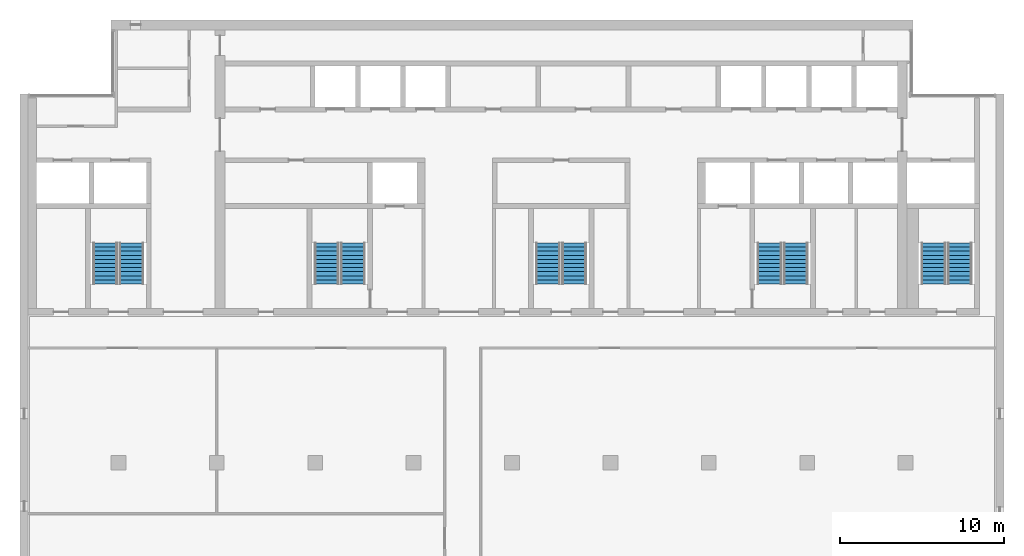
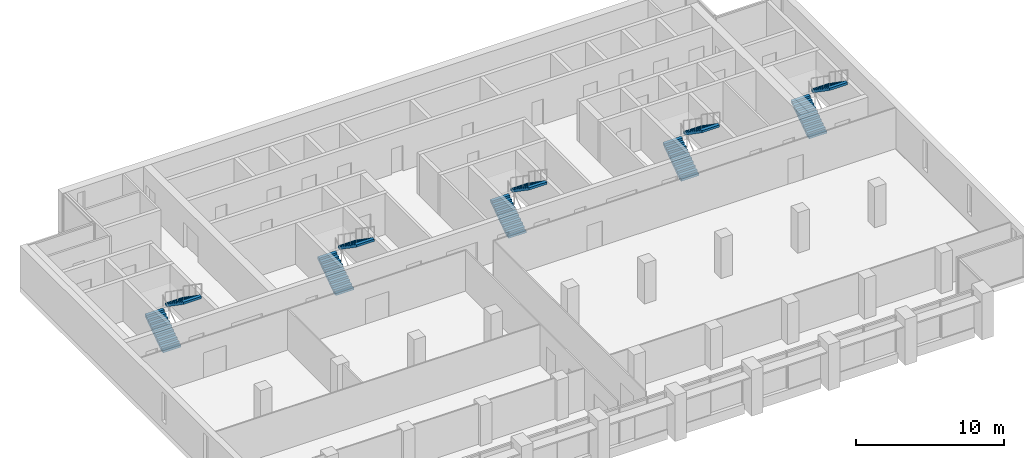
# One storey, part 12 of 14: 10 stair flights, 5 elements without a shape of their own.
"""IFC4 building model written with IfcOpenShell, lengths in metres."""

import ifcopenshell
import ifcopenshell.guid

model = None  # the IFC model being written
_history = None  # IfcOwnerHistory: only IFC2X3 demands one
_inside = {}  # id of a spatial element -> (the spatial element, [elements in it])
_under = {}  # id of a project, library or spatial element -> (it, [spatial elements below it])
_declared = {}  # id of a project -> (the project, [libraries it declares])
_typed = {}  # id of a type object -> (the type object, [elements of that type])
_made_of = {}  # id of a material, layer set ... -> (it, [elements and type objects made of it])


def new_model(schema):
    """Start an empty IFC model of exactly this schema.

    Asked for "IFC4X3", IfcOpenShell would pick the latest addendum, in which some entities
    have other attributes; the version numbers below select the first issue.
    IFC2X3 requires an IfcOwnerHistory on every rooted entity: one is made here for all.
    """
    global model, _history
    if schema == "IFC4X3":
        model = ifcopenshell.file(schema_version=(4, 3, 0, 0))
    else:
        model = ifcopenshell.file(schema=schema)
    _inside.clear()
    _under.clear()
    _declared.clear()
    _typed.clear()
    _made_of.clear()
    _history = None
    if model.schema == "IFC2X3":
        org = make("IfcOrganization", Name="unknown")
        user = make(
            "IfcPersonAndOrganization",
            ThePerson=make("IfcPerson", FamilyName="unknown"),
            TheOrganization=org,
        )
        app = make(
            "IfcApplication",
            ApplicationDeveloper=org,
            Version="unknown",
            ApplicationFullName="unknown",
            ApplicationIdentifier="unknown",
        )
        _history = make(
            "IfcOwnerHistory",
            OwningUser=user,
            OwningApplication=app,
            ChangeAction="ADDED",
            CreationDate=0,
        )
    return model


def make(cls, **values):
    """One entity of the class cls with the attributes given. An attribute that is None is left unset."""
    return model.create_entity(
        cls, **{name: value for name, value in values.items() if value is not None}
    )


def rooted(cls, **values):
    """An entity with a GlobalId (a new one), such as an element, a storey or a relation."""
    return make(cls, GlobalId=ifcopenshell.guid.new(), OwnerHistory=_history, **values)


def si_unit(unit_type, name, prefix=None):
    """IfcSIUnit, for example si_unit("LENGTHUNIT", "METRE", prefix="MILLI")."""
    return make("IfcSIUnit", UnitType=unit_type, Prefix=prefix, Name=name)


def assignment(units):
    """IfcUnitAssignment: the units of a project."""
    return None if units is None else make("IfcUnitAssignment", Units=units)


def point(xyz):
    """IfcCartesianPoint."""
    return None if xyz is None else make("IfcCartesianPoint", Coordinates=xyz)


def direction(xyz):
    """IfcDirection."""
    return None if xyz is None else make("IfcDirection", DirectionRatios=xyz)


def frame(location, z_axis=None, x_axis=None):
    """IfcAxis2Placement3D, a coordinate frame: its origin and axes. An axis left out is left unset."""
    return make(
        "IfcAxis2Placement3D",
        Location=point(location),
        Axis=direction(z_axis),
        RefDirection=direction(x_axis),
    )


def origin():
    """The frame at (0, 0, 0) with its axes left unset."""
    return frame((0.0, 0.0, 0.0))


def place(relative_to, where):
    """IfcLocalPlacement: puts the frame where relative to a parent placement (None: the world)."""
    return make(
        "IfcLocalPlacement", PlacementRelTo=relative_to, RelativePlacement=where
    )


def context(
    kind, dimensions, precision=None, world=None, true_north=None, identifier=None
):
    """IfcGeometricRepresentationContext, for example the 3D "Model" context."""
    return make(
        "IfcGeometricRepresentationContext",
        ContextIdentifier=identifier,
        ContextType=kind,
        CoordinateSpaceDimension=dimensions,
        Precision=precision,
        WorldCoordinateSystem=world,
        TrueNorth=true_north,
    )


def subcontext(parent, identifier, kind, view, scale=None):
    """IfcGeometricRepresentationSubContext, for example "Body" below "Model"."""
    return make(
        "IfcGeometricRepresentationSubContext",
        ContextIdentifier=identifier,
        ContextType=kind,
        ParentContext=parent,
        TargetScale=scale,
        TargetView=view,
    )


def project(units=None, contexts=None):
    """IfcProject with its units and contexts."""
    return rooted(
        "IfcProject",
        Name="project",
        RepresentationContexts=contexts,
        UnitsInContext=assignment(units),
    )


def spatial(cls, under=None, at=None, **own):
    """A site, building, storey or space (cls), placed at a placement, below another one or the project."""
    s = rooted(cls, ObjectPlacement=at, **own)
    if under is not None:
        _under.setdefault(under.id(), (under, []))[1].append(s)
    return s


def polyline(points):
    """IfcPolyline through the points."""
    return make("IfcPolyline", Points=[point(p) for p in points])


def outline(outer, holes=None, kind="AREA"):
    """IfcArbitraryClosedProfileDef: a profile drawn as a closed curve; with holes, ...WithVoids."""
    if holes is None:
        return make("IfcArbitraryClosedProfileDef", ProfileType=kind, OuterCurve=outer)
    return make(
        "IfcArbitraryProfileDefWithVoids",
        ProfileType=kind,
        OuterCurve=outer,
        InnerCurves=holes,
    )


def extrude(swept, where, along, depth):
    """IfcExtrudedAreaSolid: the profile swept, set in the frame where, extruded along a direction by depth."""
    return make(
        "IfcExtrudedAreaSolid",
        SweptArea=swept,
        Position=where,
        ExtrudedDirection=direction(along),
        Depth=depth,
    )


def shape(context_of_items, identifier, shape_type, items):
    """IfcShapeRepresentation: the items that make up one representation, for example the "Body"."""
    return make(
        "IfcShapeRepresentation",
        ContextOfItems=context_of_items,
        RepresentationIdentifier=identifier,
        RepresentationType=shape_type,
        Items=items,
    )


def material(Name=None, Category=None):
    """IfcMaterial."""
    return make("IfcMaterial", Name=Name, Category=Category)


def made_of(thing, what):
    """Note that an element or type object is made of a material, layer set ...; save() writes the relation."""
    if what is not None:
        _made_of.setdefault(what.id(), (what, []))[1].append(thing)
    return thing


def type_object(cls, material=None, **own):
    """A type object (cls), such as IfcWallType, which elements share."""
    return made_of(rooted(cls, **own), material)


def element(
    cls,
    number,
    at=None,
    inside=None,
    cuts=None,
    type_object=None,
    material=None,
    context=None,
    identifier="Body",
    shape_type=None,
    held_by="IfcProductDefinitionShape",
    body=None,
    shapes=None,
    **own,
):
    """One element of the class cls, such as IfcWall. Its Tag is "e" and its number.

    at: its placement. inside: the storey or other place that contains it. cuts: it is an
    opening in that element (IfcRelVoidsElement). A single representation is given by context,
    identifier, shape_type and body (its items); several are given by shapes. held_by: the class
    of the entity that holds the representations. save() writes the other relations.
    """
    e = rooted(cls, Tag="e%d" % number, ObjectPlacement=at, **own)
    if body is not None:
        shapes = [shape(context, identifier, shape_type, body)]
    if shapes is not None:
        e.Representation = make(held_by, Representations=shapes)
    if inside is not None:
        _inside.setdefault(inside.id(), (inside, []))[1].append(e)
    if cuts is not None:
        rooted(
            "IfcRelVoidsElement", RelatingBuildingElement=cuts, RelatedOpeningElement=e
        )
    if type_object is not None:
        _typed.setdefault(type_object.id(), (type_object, []))[1].append(e)
    return made_of(e, material)


def aggregate(whole, parts):
    """IfcRelAggregates: a whole, such as a stair, and the parts it consists of."""
    return rooted("IfcRelAggregates", RelatingObject=whole, RelatedObjects=parts)


def save(model, path):
    """Write the relations noted so far, then the file.

    IfcRelAggregates (storeys below a building ...), IfcRelContainedInSpatialStructure (elements
    in a storey), IfcRelDefinesByType, IfcRelAssociatesMaterial and IfcRelDeclares: one each for
    every whole, place, type object, material and project.
    """
    for whole, parts in _under.values():
        aggregate(whole, parts)
    for where, things in _inside.values():
        rooted(
            "IfcRelContainedInSpatialStructure",
            RelatedElements=things,
            RelatingStructure=where,
        )
    for kind, things in _typed.values():
        rooted("IfcRelDefinesByType", RelatedObjects=things, RelatingType=kind)
    for what, things in _made_of.values():
        rooted("IfcRelAssociatesMaterial", RelatedObjects=things, RelatingMaterial=what)
    for by, libraries in _declared.values():
        rooted("IfcRelDeclares", RelatingContext=by, RelatedDefinitions=libraries)
    model.write(path)


model = new_model("IFC4")

# Units and contexts
model_context = context("Model", 3, precision=1e-05, world=origin(), true_north=direction((0.0, 1.0)))
body_context = subcontext(model_context, "Body", "Model", "MODEL_VIEW")
ifc_project = project(units=[si_unit("LENGTHUNIT", "METRE"), si_unit("AREAUNIT", "SQUARE_METRE"), si_unit("VOLUMEUNIT", "CUBIC_METRE"), si_unit("PLANEANGLEUNIT", "RADIAN"), si_unit("MASSUNIT", "GRAM", prefix="KILO")], contexts=[model_context])

# Site, building, storey
site_placement = place(None, origin())
site = spatial("IfcSite", under=ifc_project, at=site_placement, CompositionType="ELEMENT")
building_placement = place(site_placement, origin())
building = spatial("IfcBuilding", under=site, at=building_placement, Name="Calvaro Tower", CompositionType="ELEMENT")
storey_placement = place(building_placement, frame((0.0, 0.0, 239.35009765625)))
storey = spatial("IfcBuildingStorey", under=building, at=storey_placement, Name="L60", CompositionType="ELEMENT", Elevation=239.35009765625)

# Stair, stair flights
ifc_material_1 = material(Name="Concrete C40/50", Category="concrete")
stair_type = type_object("IfcStairType", Name="Exit stair 1400 2 flights", PredefinedType="HALF_TURN_STAIR", material=ifc_material_1)
stair_1_placement = place(storey_placement, origin())
stair_1 = element("IfcStair", 1, at=stair_1_placement, inside=storey, type_object=stair_type, Name="Exit stair S1", PredefinedType="HALF_TURN_STAIR")
ifc_material_2 = material(Name="Concrete C40/50", Category="concrete")
stair_flight_type = type_object("IfcStairFlightType", Name="Stair flight", PredefinedType="STRAIGHT", material=ifc_material_2)
stair_flight_1_placement = place(storey_placement, frame((11.199951171875, 29.89990234375, 0.0), z_axis=(0.0, 0.0, 1.0), x_axis=(0.0, 1.0, 0.0)))
stair_flight_1 = element("IfcStairFlight", 2, at=stair_flight_1_placement, type_object=stair_flight_type, Name="Exit stair 1, flight 1", NumberOfRisers=11, NumberOfTreads=10, PredefinedType="STRAIGHT", RiserHeight=0.172727273, TreadLength=0.25, context=body_context, shape_type="SweptSolid", body=[
    extrude(outline(polyline([(0.0, 0.0), (0.0, 0.172607421875), (0.25, 0.172607421875), (0.25, 0.345458984375), (0.5, 0.345458984375), (0.5, 0.51806640625), (0.75, 0.51806640625), (0.75, 0.69091796875), (1.0, 0.69091796875), (1.0, 0.863525390625), (1.25, 0.863525390625), (1.25, 1.036376953125), (1.5, 1.036376953125), (1.5, 1.208984375), (1.75, 1.208984375), (1.75, 1.3818359375), (2.0, 1.3818359375), (2.0, 1.554443359375), (2.25, 1.554443359375), (2.25, 1.727294921875), (2.5, 1.727294921875), (2.5, 1.89990234375), (2.5, 1.545166015625), (0.263671875, 0.0), (0.0, 0.0)])), frame((0.0, 0.699951171875, 0.0), z_axis=(0.0, -1.0, 0.0), x_axis=(1.0, 0.0, 0.0)), (0.0, 0.0, 1.0), 1.39990234375),
])
stair_flight_2_placement = place(storey_placement, frame((12.800048828125, 32.39990234375, 1.89990234375), z_axis=(0.0, 0.0, 1.0), x_axis=(0.0, -1.0, 0.0)))
stair_flight_2 = element("IfcStairFlight", 3, at=stair_flight_2_placement, type_object=stair_flight_type, Name="Exit stair 1, flight 2", NumberOfRisers=11, NumberOfTreads=10, PredefinedType="STRAIGHT", RiserHeight=0.172727273, TreadLength=0.25, context=body_context, shape_type="SweptSolid", body=[
    extrude(outline(polyline([(0.0, 0.0), (0.0, 0.172607421875), (0.25, 0.172607421875), (0.25, 0.345458984375), (0.5, 0.345458984375), (0.5, 0.51806640625), (0.75, 0.51806640625), (0.75, 0.69091796875), (1.0, 0.69091796875), (1.0, 0.863525390625), (1.25, 0.863525390625), (1.25, 1.036376953125), (1.5, 1.036376953125), (1.5, 1.208984375), (1.75, 1.208984375), (1.75, 1.3818359375), (2.0, 1.3818359375), (2.0, 1.554443359375), (2.25, 1.554443359375), (2.25, 1.727294921875), (2.5, 1.727294921875), (2.5, 1.89990234375), (2.5, 1.545166015625), (0.263671875, 0.0), (0.0, 0.0)])), frame((0.0, 0.699951171875, 0.0), z_axis=(0.0, -1.0, 0.0), x_axis=(1.0, 0.0, 0.0)), (0.0, 0.0, 1.0), 1.39990234375),
])
aggregate(stair_1, [stair_flight_1, stair_flight_2])

stair_2_placement = place(storey_placement, origin())
stair_2 = element("IfcStair", 4, at=stair_2_placement, inside=storey, type_object=stair_type, Name="Exit stair S2", PredefinedType="HALF_TURN_STAIR")
stair_flight_3_placement = place(storey_placement, frame((24.699951171875, 29.89990234375, 0.0), z_axis=(0.0, 0.0, 1.0), x_axis=(0.0, 1.0, 0.0)))
stair_flight_3 = element("IfcStairFlight", 5, at=stair_flight_3_placement, type_object=stair_flight_type, Name="Exit stair 2, flight 1", NumberOfRisers=11, NumberOfTreads=10, PredefinedType="STRAIGHT", RiserHeight=0.172727273, TreadLength=0.25, context=body_context, shape_type="SweptSolid", body=[
    extrude(outline(polyline([(0.0, 0.0), (0.0, 0.172607421875), (0.25, 0.172607421875), (0.25, 0.345458984375), (0.5, 0.345458984375), (0.5, 0.51806640625), (0.75, 0.51806640625), (0.75, 0.69091796875), (1.0, 0.69091796875), (1.0, 0.863525390625), (1.25, 0.863525390625), (1.25, 1.036376953125), (1.5, 1.036376953125), (1.5, 1.208984375), (1.75, 1.208984375), (1.75, 1.3818359375), (2.0, 1.3818359375), (2.0, 1.554443359375), (2.25, 1.554443359375), (2.25, 1.727294921875), (2.5, 1.727294921875), (2.5, 1.89990234375), (2.5, 1.545166015625), (0.263671875, 0.0), (0.0, 0.0)])), frame((0.0, 0.699951171875, 0.0), z_axis=(0.0, -1.0, 0.0), x_axis=(1.0, 0.0, 0.0)), (0.0, 0.0, 1.0), 1.39990234375),
])
stair_flight_4_placement = place(storey_placement, frame((26.300048828125, 32.39990234375, 1.89990234375), z_axis=(0.0, 0.0, 1.0), x_axis=(0.0, -1.0, 0.0)))
stair_flight_4 = element("IfcStairFlight", 6, at=stair_flight_4_placement, type_object=stair_flight_type, Name="Exit stair 2, flight 2", NumberOfRisers=11, NumberOfTreads=10, PredefinedType="STRAIGHT", RiserHeight=0.172727273, TreadLength=0.25, context=body_context, shape_type="SweptSolid", body=[
    extrude(outline(polyline([(0.0, 0.0), (0.0, 0.172607421875), (0.25, 0.172607421875), (0.25, 0.345458984375), (0.5, 0.345458984375), (0.5, 0.51806640625), (0.75, 0.51806640625), (0.75, 0.69091796875), (1.0, 0.69091796875), (1.0, 0.863525390625), (1.25, 0.863525390625), (1.25, 1.036376953125), (1.5, 1.036376953125), (1.5, 1.208984375), (1.75, 1.208984375), (1.75, 1.3818359375), (2.0, 1.3818359375), (2.0, 1.554443359375), (2.25, 1.554443359375), (2.25, 1.727294921875), (2.5, 1.727294921875), (2.5, 1.89990234375), (2.5, 1.545166015625), (0.263671875, 0.0), (0.0, 0.0)])), frame((0.0, 0.699951171875, 0.0), z_axis=(0.0, -1.0, 0.0), x_axis=(1.0, 0.0, 0.0)), (0.0, 0.0, 1.0), 1.39990234375),
])
aggregate(stair_2, [stair_flight_3, stair_flight_4])

stair_3_placement = place(storey_placement, origin())
stair_3 = element("IfcStair", 7, at=stair_3_placement, inside=storey, type_object=stair_type, Name="Exit stair S3", PredefinedType="HALF_TURN_STAIR")
stair_flight_5_placement = place(storey_placement, frame((38.199951171875, 29.89990234375, 0.0), z_axis=(0.0, 0.0, 1.0), x_axis=(0.0, 1.0, 0.0)))
stair_flight_5 = element("IfcStairFlight", 8, at=stair_flight_5_placement, type_object=stair_flight_type, Name="Exit stair 3, flight 1", NumberOfRisers=11, NumberOfTreads=10, PredefinedType="STRAIGHT", RiserHeight=0.172727273, TreadLength=0.25, context=body_context, shape_type="SweptSolid", body=[
    extrude(outline(polyline([(0.0, 0.0), (0.0, 0.172607421875), (0.25, 0.172607421875), (0.25, 0.345458984375), (0.5, 0.345458984375), (0.5, 0.51806640625), (0.75, 0.51806640625), (0.75, 0.69091796875), (1.0, 0.69091796875), (1.0, 0.863525390625), (1.25, 0.863525390625), (1.25, 1.036376953125), (1.5, 1.036376953125), (1.5, 1.208984375), (1.75, 1.208984375), (1.75, 1.3818359375), (2.0, 1.3818359375), (2.0, 1.554443359375), (2.25, 1.554443359375), (2.25, 1.727294921875), (2.5, 1.727294921875), (2.5, 1.89990234375), (2.5, 1.545166015625), (0.263671875, 0.0), (0.0, 0.0)])), frame((0.0, 0.699951171875, 0.0), z_axis=(0.0, -1.0, 0.0), x_axis=(1.0, 0.0, 0.0)), (0.0, 0.0, 1.0), 1.39990234375),
])
stair_flight_6_placement = place(storey_placement, frame((39.800048828125, 32.39990234375, 1.89990234375), z_axis=(0.0, 0.0, 1.0), x_axis=(0.0, -1.0, 0.0)))
stair_flight_6 = element("IfcStairFlight", 9, at=stair_flight_6_placement, type_object=stair_flight_type, Name="Exit stair 3, flight 2", NumberOfRisers=11, NumberOfTreads=10, PredefinedType="STRAIGHT", RiserHeight=0.172727273, TreadLength=0.25, context=body_context, shape_type="SweptSolid", body=[
    extrude(outline(polyline([(0.0, 0.0), (0.0, 0.172607421875), (0.25, 0.172607421875), (0.25, 0.345458984375), (0.5, 0.345458984375), (0.5, 0.51806640625), (0.75, 0.51806640625), (0.75, 0.69091796875), (1.0, 0.69091796875), (1.0, 0.863525390625), (1.25, 0.863525390625), (1.25, 1.036376953125), (1.5, 1.036376953125), (1.5, 1.208984375), (1.75, 1.208984375), (1.75, 1.3818359375), (2.0, 1.3818359375), (2.0, 1.554443359375), (2.25, 1.554443359375), (2.25, 1.727294921875), (2.5, 1.727294921875), (2.5, 1.89990234375), (2.5, 1.545166015625), (0.263671875, 0.0), (0.0, 0.0)])), frame((0.0, 0.699951171875, 0.0), z_axis=(0.0, -1.0, 0.0), x_axis=(1.0, 0.0, 0.0)), (0.0, 0.0, 1.0), 1.39990234375),
])
aggregate(stair_3, [stair_flight_5, stair_flight_6])

stair_4_placement = place(storey_placement, origin())
stair_4 = element("IfcStair", 10, at=stair_4_placement, inside=storey, type_object=stair_type, Name="Exit stair S4", PredefinedType="HALF_TURN_STAIR")
stair_flight_7_placement = place(storey_placement, frame((51.699951171875, 29.89990234375, 0.0), z_axis=(0.0, 0.0, 1.0), x_axis=(0.0, 1.0, 0.0)))
stair_flight_7 = element("IfcStairFlight", 11, at=stair_flight_7_placement, type_object=stair_flight_type, Name="Exit stair 4, flight 1", NumberOfRisers=11, NumberOfTreads=10, PredefinedType="STRAIGHT", RiserHeight=0.172727273, TreadLength=0.25, context=body_context, shape_type="SweptSolid", body=[
    extrude(outline(polyline([(0.0, 0.0), (0.0, 0.172607421875), (0.25, 0.172607421875), (0.25, 0.345458984375), (0.5, 0.345458984375), (0.5, 0.51806640625), (0.75, 0.51806640625), (0.75, 0.69091796875), (1.0, 0.69091796875), (1.0, 0.863525390625), (1.25, 0.863525390625), (1.25, 1.036376953125), (1.5, 1.036376953125), (1.5, 1.208984375), (1.75, 1.208984375), (1.75, 1.3818359375), (2.0, 1.3818359375), (2.0, 1.554443359375), (2.25, 1.554443359375), (2.25, 1.727294921875), (2.5, 1.727294921875), (2.5, 1.89990234375), (2.5, 1.545166015625), (0.263671875, 0.0), (0.0, 0.0)])), frame((0.0, 0.699951171875, 0.0), z_axis=(0.0, -1.0, 0.0), x_axis=(1.0, 0.0, 0.0)), (0.0, 0.0, 1.0), 1.39990234375),
])
stair_flight_8_placement = place(storey_placement, frame((53.300048828125, 32.39990234375, 1.89990234375), z_axis=(0.0, 0.0, 1.0), x_axis=(0.0, -1.0, 0.0)))
stair_flight_8 = element("IfcStairFlight", 12, at=stair_flight_8_placement, type_object=stair_flight_type, Name="Exit stair 4, flight 2", NumberOfRisers=11, NumberOfTreads=10, PredefinedType="STRAIGHT", RiserHeight=0.172727273, TreadLength=0.25, context=body_context, shape_type="SweptSolid", body=[
    extrude(outline(polyline([(0.0, 0.0), (0.0, 0.172607421875), (0.25, 0.172607421875), (0.25, 0.345458984375), (0.5, 0.345458984375), (0.5, 0.51806640625), (0.75, 0.51806640625), (0.75, 0.69091796875), (1.0, 0.69091796875), (1.0, 0.863525390625), (1.25, 0.863525390625), (1.25, 1.036376953125), (1.5, 1.036376953125), (1.5, 1.208984375), (1.75, 1.208984375), (1.75, 1.3818359375), (2.0, 1.3818359375), (2.0, 1.554443359375), (2.25, 1.554443359375), (2.25, 1.727294921875), (2.5, 1.727294921875), (2.5, 1.89990234375), (2.5, 1.545166015625), (0.263671875, 0.0), (0.0, 0.0)])), frame((0.0, 0.699951171875, 0.0), z_axis=(0.0, -1.0, 0.0), x_axis=(1.0, 0.0, 0.0)), (0.0, 0.0, 1.0), 1.39990234375),
])
aggregate(stair_4, [stair_flight_7, stair_flight_8])

stair_5_placement = place(storey_placement, origin())
stair_5 = element("IfcStair", 13, at=stair_5_placement, inside=storey, type_object=stair_type, Name="Exit stair S5", PredefinedType="HALF_TURN_STAIR")
stair_flight_9_placement = place(storey_placement, frame((61.699951171875, 29.89990234375, 0.0), z_axis=(0.0, 0.0, 1.0), x_axis=(0.0, 1.0, 0.0)))
stair_flight_9 = element("IfcStairFlight", 14, at=stair_flight_9_placement, type_object=stair_flight_type, Name="Exit stair 5, flight 1", NumberOfRisers=11, NumberOfTreads=10, PredefinedType="STRAIGHT", RiserHeight=0.172727273, TreadLength=0.25, context=body_context, shape_type="SweptSolid", body=[
    extrude(outline(polyline([(0.0, 0.0), (0.0, 0.172607421875), (0.25, 0.172607421875), (0.25, 0.345458984375), (0.5, 0.345458984375), (0.5, 0.51806640625), (0.75, 0.51806640625), (0.75, 0.69091796875), (1.0, 0.69091796875), (1.0, 0.863525390625), (1.25, 0.863525390625), (1.25, 1.036376953125), (1.5, 1.036376953125), (1.5, 1.208984375), (1.75, 1.208984375), (1.75, 1.3818359375), (2.0, 1.3818359375), (2.0, 1.554443359375), (2.25, 1.554443359375), (2.25, 1.727294921875), (2.5, 1.727294921875), (2.5, 1.89990234375), (2.5, 1.545166015625), (0.263671875, 0.0), (0.0, 0.0)])), frame((0.0, 0.699951171875, 0.0), z_axis=(0.0, -1.0, 0.0), x_axis=(1.0, 0.0, 0.0)), (0.0, 0.0, 1.0), 1.39990234375),
])
stair_flight_10_placement = place(storey_placement, frame((63.300048828125, 32.39990234375, 1.89990234375), z_axis=(0.0, 0.0, 1.0), x_axis=(0.0, -1.0, 0.0)))
stair_flight_10 = element("IfcStairFlight", 15, at=stair_flight_10_placement, type_object=stair_flight_type, Name="Exit stair 5, flight 2", NumberOfRisers=11, NumberOfTreads=10, PredefinedType="STRAIGHT", RiserHeight=0.172727273, TreadLength=0.25, context=body_context, shape_type="SweptSolid", body=[
    extrude(outline(polyline([(0.0, 0.0), (0.0, 0.172607421875), (0.25, 0.172607421875), (0.25, 0.345458984375), (0.5, 0.345458984375), (0.5, 0.51806640625), (0.75, 0.51806640625), (0.75, 0.69091796875), (1.0, 0.69091796875), (1.0, 0.863525390625), (1.25, 0.863525390625), (1.25, 1.036376953125), (1.5, 1.036376953125), (1.5, 1.208984375), (1.75, 1.208984375), (1.75, 1.3818359375), (2.0, 1.3818359375), (2.0, 1.554443359375), (2.25, 1.554443359375), (2.25, 1.727294921875), (2.5, 1.727294921875), (2.5, 1.89990234375), (2.5, 1.545166015625), (0.263671875, 0.0), (0.0, 0.0)])), frame((0.0, 0.699951171875, 0.0), z_axis=(0.0, -1.0, 0.0), x_axis=(1.0, 0.0, 0.0)), (0.0, 0.0, 1.0), 1.39990234375),
])
aggregate(stair_5, [stair_flight_9, stair_flight_10])

save(model, "model.ifc")
